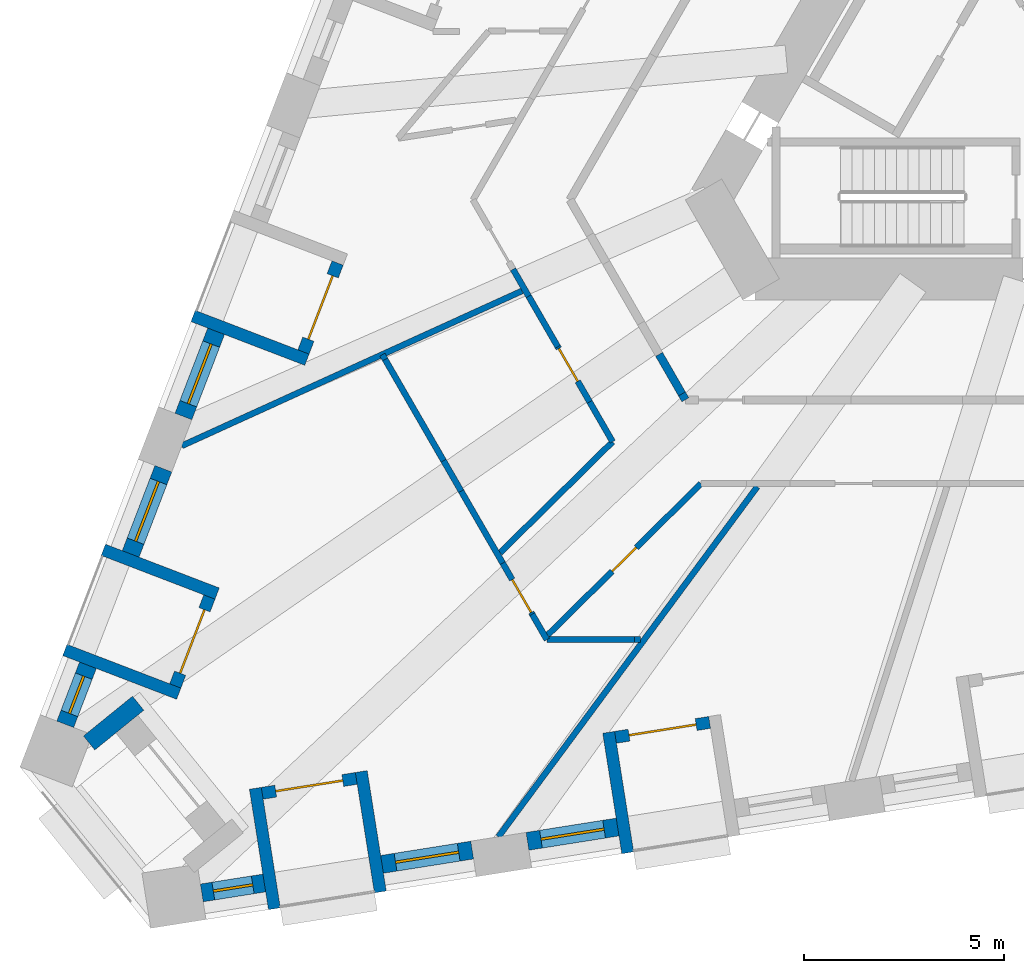
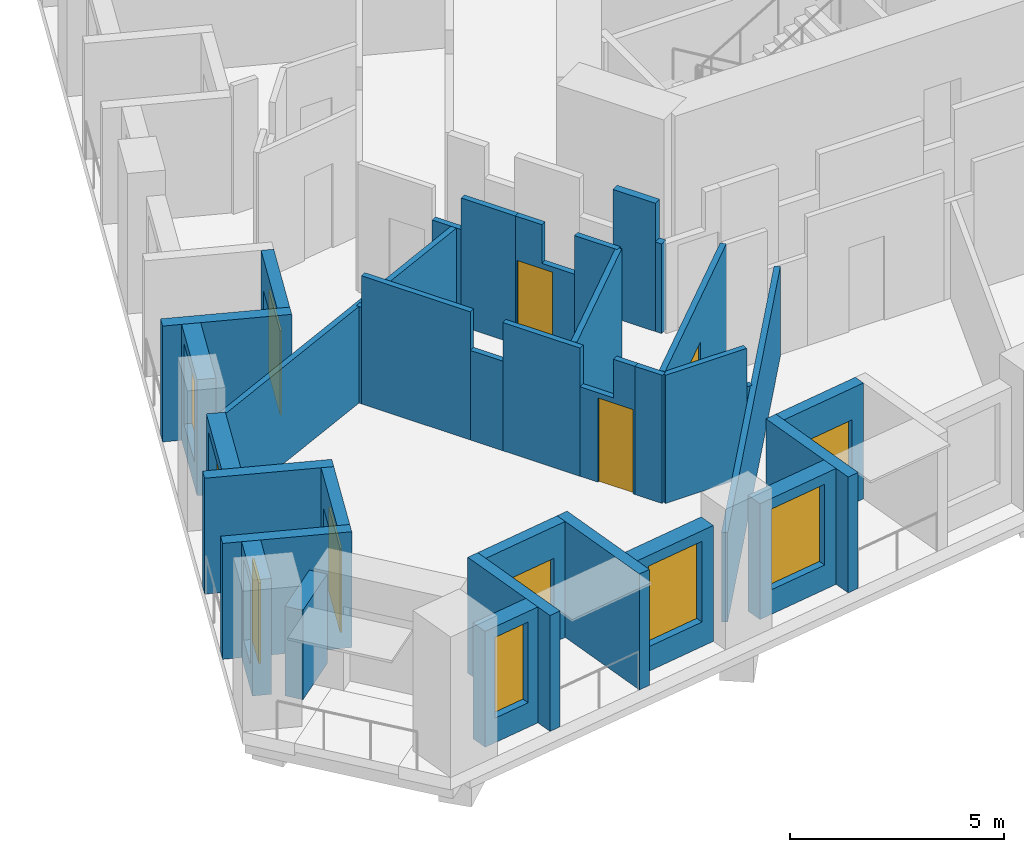
# One storey, part 2 of 14: 35 walls, 7 doors, 6 windows, 13 openings.
"""IFC4 building model written with IfcOpenShell, lengths in metres."""

from ifc_helpers import new_model, si_unit, direction, frame, frame_2d, origin, place, context, subcontext, project, spatial, polyline, rectangle, outline, extrude, material, layer, layer_set, type_object, element, fill, save


model = new_model("IFC4")

# Units and contexts
model_context = context("Model", 3, precision=1e-05, world=origin(), true_north=direction((0.0, 1.0)))
body_context = subcontext(model_context, "Body", "Model", "MODEL_VIEW")
ifc_project = project(units=[si_unit("LENGTHUNIT", "METRE"), si_unit("AREAUNIT", "SQUARE_METRE"), si_unit("VOLUMEUNIT", "CUBIC_METRE"), si_unit("PLANEANGLEUNIT", "RADIAN"), si_unit("MASSUNIT", "GRAM", prefix="KILO")], contexts=[model_context])

# Site, building, storey
site_placement = place(None, origin())
site = spatial("IfcSite", under=ifc_project, at=site_placement, CompositionType="ELEMENT")
building_placement = place(site_placement, origin())
building = spatial("IfcBuilding", under=site, at=building_placement, Name="Tramontana Tower", CompositionType="ELEMENT")
storey_placement = place(building_placement, frame((0.0, 0.0, 55.199951171875)))
storey = spatial("IfcBuildingStorey", under=building, at=storey_placement, Name="L11", CompositionType="ELEMENT", Elevation=55.199951171875)

# Walls
ifc_material_1 = material(Name="Blockwork", Category="masonry")
ifc_layer_1 = layer(ifc_material_1, 0.199951171875)
ifc_layer_set_1 = layer_set([ifc_layer_1], Name="ENTRY WALL 200")
wall_type_1 = type_object("IfcWallType", Name="ENTRY WALL 200", PredefinedType="SOLIDWALL", material=ifc_layer_set_1)
wall_1_placement = place(storey_placement, frame((-10.248046875, -9.25, 0.0), z_axis=(0.0, 0.0, 1.0), x_axis=(-0.499516518495, 0.866304362075, 0.0)))
element("IfcWall", 1, at=wall_1_placement, inside=storey, type_object=wall_type_1, Name="Wall v10-ew3-0", PredefinedType="SOLIDWALL", context=body_context, shape_type="SweptSolid", body=[
    extrude(rectangle(XDim=0.171142578125, YDim=0.199951171875, at=frame_2d((0.08544921875, 0.0))), origin(), (0.0, 0.0, 1.0), 2.550048828125),
])
wall_2_placement = place(storey_placement, frame((-10.33349609375, -9.101806640625, 0.0), z_axis=(0.0, 0.0, 1.0), x_axis=(-0.500049527193, 0.865996807358, 0.0)))
element("IfcWall", 2, at=wall_2_placement, inside=storey, type_object=wall_type_1, Name="Wall v10-ew3-1", PredefinedType="SOLIDWALL", context=body_context, shape_type="SweptSolid", body=[
    extrude(rectangle(XDim=1.1416015625, YDim=0.199951171875, at=frame_2d((0.57080078125, 0.0))), origin(), (0.0, 0.0, 1.0), 3.650146484375),
])

# Wall, opening, window
ifc_material_2 = material(Name="Precast concrete 60 MPa", Category="concrete")
ifc_layer_2 = layer(ifc_material_2, 0.449951171875)
ifc_layer_set_2 = layer_set([ifc_layer_2], Name="Precast concrete 60 MPa, 450 mm")
wall_type_2 = type_object("IfcWallType", Name="EW1 Stone-faced precast wall 450", PredefinedType="SOLIDWALL", material=ifc_layer_set_2)
wall_3_placement = place(storey_placement, frame((-21.986083984375, -7.536376953125, 0.0), z_axis=(0.0, 0.0, 1.0), x_axis=(-0.358355550725, -0.933585185864, 0.0)))
wall_3 = element("IfcWall", 3, at=wall_3_placement, inside=storey, type_object=wall_type_2, Name="External wall L11 face 0 bay 5", PredefinedType="SOLIDWALL", context=body_context, shape_type="SweptSolid", body=[
    extrude(rectangle(XDim=2.282958984375, YDim=0.449951171875, at=frame_2d((1.1416015625, 0.0))), origin(), (0.0, 0.0, 1.0), 3.300048828125),
])
opening_1_placement = place(wall_3_placement, frame((0.341552734375, 0.0, 0.699951171875)))
opening_1 = element("IfcOpeningElement", 4, at=opening_1_placement, cuts=wall_3, Name="Opening M1", PredefinedType="OPENING", context=body_context, shape_type="SweptSolid", body=[
    extrude(rectangle(XDim=1.60009765625, YDim=2.300048828125, at=frame_2d((0.800048828125, 1.14990234375))), frame((0.0, 0.23486328125, 0.0), z_axis=(0.0, -1.0, 0.0), x_axis=(1.0, 0.0, 0.0)), (0.0, 0.0, 1.0), 0.469970703125),
])
ifc_material_3 = material(Name="Aluminum frame, double glazing unit", Category="aluminium")
window_type_1 = type_object("IfcWindowType", Name="M1 Window 1.6 x 2.3", PartitioningType="SINGLE_PANEL", PredefinedType="WINDOW", material=ifc_material_3)
window_1_placement = place(opening_1_placement, origin())
window_1 = element("IfcWindow", 5, at=window_1_placement, inside=storey, type_object=window_type_1, Name="Window M1 L11 face 0 module 15", OverallHeight=2.300048828125, OverallWidth=1.60009765625, PartitioningType="SINGLE_PANEL", PredefinedType="WINDOW", context=body_context, shape_type="SweptSolid", body=[
    extrude(rectangle(XDim=1.60009765625, YDim=2.300048828125, at=frame_2d((0.800048828125, 1.14990234375))), frame((0.0, 0.030029296875, 0.0), z_axis=(0.0, -1.0, 0.0), x_axis=(1.0, 0.0, 0.0)), (0.0, 0.0, 1.0), 0.06005859375),
])
fill(opening_1, window_1)

wall_4_placement = place(storey_placement, frame((-23.305908203125, -10.974609375, 0.0), z_axis=(0.0, 0.0, 1.0), x_axis=(-0.358355550725, -0.933585185864, 0.0)))
wall_4 = element("IfcWall", 6, at=wall_4_placement, inside=storey, type_object=wall_type_2, Name="External wall L11 face 0 bay 6", PredefinedType="SOLIDWALL", context=body_context, shape_type="SweptSolid", body=[
    extrude(rectangle(XDim=2.282958984375, YDim=0.449951171875, at=frame_2d((1.1416015625, 0.0))), origin(), (0.0, 0.0, 1.0), 3.300048828125),
])
opening_2_placement = place(wall_4_placement, frame((0.341552734375, 0.0, 0.699951171875)))
opening_2 = element("IfcOpeningElement", 7, at=opening_2_placement, cuts=wall_4, Name="Opening M1", PredefinedType="OPENING", context=body_context, shape_type="SweptSolid", body=[
    extrude(rectangle(XDim=1.60009765625, YDim=2.300048828125, at=frame_2d((0.800048828125, 1.14990234375))), frame((0.0, 0.23486328125, 0.0), z_axis=(0.0, -1.0, 0.0), x_axis=(1.0, 0.0, 0.0)), (0.0, 0.0, 1.0), 0.469970703125),
])
window_2_placement = place(opening_2_placement, origin())
window_2 = element("IfcWindow", 8, at=window_2_placement, inside=storey, type_object=window_type_1, Name="Window M1 L11 face 0 module 16", OverallHeight=2.300048828125, OverallWidth=1.60009765625, PartitioningType="SINGLE_PANEL", PredefinedType="WINDOW", context=body_context, shape_type="SweptSolid", body=[
    extrude(rectangle(XDim=1.60009765625, YDim=2.300048828125, at=frame_2d((0.800048828125, 1.14990234375))), frame((0.0, 0.030029296875, 0.0), z_axis=(0.0, -1.0, 0.0), x_axis=(1.0, 0.0, 0.0)), (0.0, 0.0, 1.0), 0.06005859375),
])
fill(opening_2, window_2)

wall_5_placement = place(storey_placement, frame((-25.193115234375, -15.890869140625, 0.0), z_axis=(0.0, 0.0, 1.0), x_axis=(-0.358431261356, -0.933556120907, 0.0)))
wall_5 = element("IfcWall", 9, at=wall_5_placement, inside=storey, type_object=wall_type_2, Name="External wall L11 face 0 bay 6", PredefinedType="SOLIDWALL", context=body_context, shape_type="SweptSolid", body=[
    extrude(rectangle(XDim=1.5830078125, YDim=0.449951171875, at=frame_2d((0.79150390625, 0.0))), origin(), (0.0, 0.0, 1.0), 3.300048828125),
])
opening_3_placement = place(wall_5_placement, frame((0.29150390625, 0.0, 0.699951171875)))
opening_3 = element("IfcOpeningElement", 10, at=opening_3_placement, cuts=wall_5, Name="Opening N1", PredefinedType="OPENING", context=body_context, shape_type="SweptSolid", body=[
    extrude(rectangle(XDim=1.0, YDim=2.300048828125, at=frame_2d((0.5, 1.14990234375))), frame((0.0, 0.23486328125, 0.0), z_axis=(0.0, -1.0, 0.0), x_axis=(1.0, 0.0, 0.0)), (0.0, 0.0, 1.0), 0.469970703125),
])
ifc_material_4 = material(Name="Aluminum frame, double glazing unit", Category="aluminium")
window_type_2 = type_object("IfcWindowType", Name="N1 Window 1 x 2.3", PartitioningType="SINGLE_PANEL", PredefinedType="WINDOW", material=ifc_material_4)
window_3_placement = place(opening_3_placement, origin())
window_3 = element("IfcWindow", 11, at=window_3_placement, inside=storey, type_object=window_type_2, Name="Window N1 L11 face 0 module 18", OverallHeight=2.300048828125, OverallWidth=1.0, PartitioningType="SINGLE_PANEL", PredefinedType="WINDOW", context=body_context, shape_type="SweptSolid", body=[
    extrude(rectangle(XDim=1.0, YDim=2.300048828125, at=frame_2d((0.5, 1.14990234375))), frame((0.0, 0.030029296875, 0.0), z_axis=(0.0, -1.0, 0.0), x_axis=(1.0, 0.0, 0.0)), (0.0, 0.0, 1.0), 0.06005859375),
])
fill(opening_3, window_3)

wall_6_placement = place(storey_placement, frame((-22.344970703125, -21.586181640625, 0.0), z_axis=(0.0, 0.0, 1.0), x_axis=(0.987695344573, 0.156390237257, 0.0)))
wall_6 = element("IfcWall", 12, at=wall_6_placement, inside=storey, type_object=wall_type_2, Name="External wall L11 face 1 bay 1", PredefinedType="SOLIDWALL", context=body_context, shape_type="SweptSolid", body=[
    extrude(rectangle(XDim=1.5830078125, YDim=0.449951171875, at=frame_2d((0.79150390625, 0.0))), origin(), (0.0, 0.0, 1.0), 3.300048828125),
])
opening_4_placement = place(wall_6_placement, frame((0.29150390625, 0.0, 0.699951171875)))
opening_4 = element("IfcOpeningElement", 13, at=opening_4_placement, cuts=wall_6, Name="Opening N1", PredefinedType="OPENING", context=body_context, shape_type="SweptSolid", body=[
    extrude(rectangle(XDim=1.0, YDim=2.300048828125, at=frame_2d((0.5, 1.14990234375))), frame((0.0, 0.23486328125, 0.0), z_axis=(0.0, -1.0, 0.0), x_axis=(1.0, 0.0, 0.0)), (0.0, 0.0, 1.0), 0.469970703125),
])
window_4_placement = place(opening_4_placement, origin())
window_4 = element("IfcWindow", 14, at=window_4_placement, inside=storey, type_object=window_type_2, Name="Window N1 L11 face 1 module 1", OverallHeight=2.300048828125, OverallWidth=1.0, PartitioningType="SINGLE_PANEL", PredefinedType="WINDOW", context=body_context, shape_type="SweptSolid", body=[
    extrude(rectangle(XDim=1.0, YDim=2.300048828125, at=frame_2d((0.5, 1.14990234375))), frame((0.0, 0.030029296875, 0.0), z_axis=(0.0, -1.0, 0.0), x_axis=(1.0, 0.0, 0.0)), (0.0, 0.0, 1.0), 0.06005859375),
])
fill(opening_4, window_4)

wall_7_placement = place(storey_placement, frame((-17.835205078125, -20.8720703125, 0.0), z_axis=(0.0, 0.0, 1.0), x_axis=(0.987685675151, 0.156451293065, 0.0)))
wall_7 = element("IfcWall", 15, at=wall_7_placement, inside=storey, type_object=wall_type_2, Name="External wall L11 face 1 bay 1", PredefinedType="SOLIDWALL", context=body_context, shape_type="SweptSolid", body=[
    extrude(rectangle(XDim=2.282958984375, YDim=0.449951171875, at=frame_2d((1.1416015625, 0.0))), origin(), (0.0, 0.0, 1.0), 3.300048828125),
])
opening_5_placement = place(wall_7_placement, frame((0.341552734375, 0.0, 0.699951171875)))
opening_5 = element("IfcOpeningElement", 16, at=opening_5_placement, cuts=wall_7, Name="Opening M1", PredefinedType="OPENING", context=body_context, shape_type="SweptSolid", body=[
    extrude(rectangle(XDim=1.60009765625, YDim=2.300048828125, at=frame_2d((0.800048828125, 1.14990234375))), frame((0.0, 0.23486328125, 0.0), z_axis=(0.0, -1.0, 0.0), x_axis=(1.0, 0.0, 0.0)), (0.0, 0.0, 1.0), 0.469970703125),
])
window_5_placement = place(opening_5_placement, origin())
window_5 = element("IfcWindow", 17, at=window_5_placement, inside=storey, type_object=window_type_1, Name="Window M1 L11 face 1 module 3", OverallHeight=2.300048828125, OverallWidth=1.60009765625, PartitioningType="SINGLE_PANEL", PredefinedType="WINDOW", context=body_context, shape_type="SweptSolid", body=[
    extrude(rectangle(XDim=1.60009765625, YDim=2.300048828125, at=frame_2d((0.800048828125, 1.14990234375))), frame((0.0, 0.030029296875, 0.0), z_axis=(0.0, -1.0, 0.0), x_axis=(1.0, 0.0, 0.0)), (0.0, 0.0, 1.0), 0.06005859375),
])
fill(opening_5, window_5)

wall_8_placement = place(storey_placement, frame((-14.19775390625, -20.2958984375, 0.0), z_axis=(0.0, 0.0, 1.0), x_axis=(0.987685675151, 0.156451293065, 0.0)))
wall_8 = element("IfcWall", 18, at=wall_8_placement, inside=storey, type_object=wall_type_2, Name="External wall L11 face 1 bay 2", PredefinedType="SOLIDWALL", context=body_context, shape_type="SweptSolid", body=[
    extrude(rectangle(XDim=2.282958984375, YDim=0.449951171875, at=frame_2d((1.1416015625, 0.0))), origin(), (0.0, 0.0, 1.0), 3.300048828125),
])
opening_6_placement = place(wall_8_placement, frame((0.341552734375, 0.0, 0.699951171875)))
opening_6 = element("IfcOpeningElement", 19, at=opening_6_placement, cuts=wall_8, Name="Opening M1", PredefinedType="OPENING", context=body_context, shape_type="SweptSolid", body=[
    extrude(rectangle(XDim=1.60009765625, YDim=2.300048828125, at=frame_2d((0.800048828125, 1.14990234375))), frame((0.0, 0.23486328125, 0.0), z_axis=(0.0, -1.0, 0.0), x_axis=(1.0, 0.0, 0.0)), (0.0, 0.0, 1.0), 0.469970703125),
])
window_6_placement = place(opening_6_placement, origin())
window_6 = element("IfcWindow", 20, at=window_6_placement, inside=storey, type_object=window_type_1, Name="Window M1 L11 face 1 module 4", OverallHeight=2.300048828125, OverallWidth=1.60009765625, PartitioningType="SINGLE_PANEL", PredefinedType="WINDOW", context=body_context, shape_type="SweptSolid", body=[
    extrude(rectangle(XDim=1.60009765625, YDim=2.300048828125, at=frame_2d((0.800048828125, 1.14990234375))), frame((0.0, 0.030029296875, 0.0), z_axis=(0.0, -1.0, 0.0), x_axis=(1.0, 0.0, 0.0)), (0.0, 0.0, 1.0), 0.06005859375),
])
fill(opening_6, window_6)

# Wall
wall_9_placement = place(storey_placement, frame((-25.162841796875, -17.835205078125, 0.0), z_axis=(0.0, 0.0, 1.0), x_axis=(0.777129655516, 0.629340526677, 0.0)))
element("IfcWall", 21, at=wall_9_placement, inside=storey, type_object=wall_type_2, Name="Corner loggia side wall L11 K11r", PredefinedType="SOLIDWALL", context=body_context, shape_type="SweptSolid", body=[
    extrude(rectangle(XDim=1.579345703125, YDim=0.449951171875, at=frame_2d((0.78955078125, 0.0))), origin(), (0.0, 0.0, 1.0), 2.550048828125),
])

# Wall, opening, door
ifc_material_5 = material(Name="Precast concrete 60 MPa", Category="concrete")
ifc_layer_3 = layer(ifc_material_5, 0.300048828125)
ifc_layer_set_3 = layer_set([ifc_layer_3], Name="LW1 Stone-faced loggia wall 300")
wall_type_3 = type_object("IfcWallType", Name="LW1 Stone-faced loggia wall 300", PredefinedType="SOLIDWALL", material=ifc_layer_set_3)
wall_10_placement = place(storey_placement, frame((-18.947265625, -5.828857421875, 0.0), z_axis=(0.0, 0.0, 1.0), x_axis=(-0.358354292693, -0.933585668757, 0.0)))
wall_10 = element("IfcWall", 22, at=wall_10_placement, inside=storey, type_object=wall_type_3, Name="Loggia wall L11 G1S0.13", PredefinedType="SOLIDWALL", context=body_context, shape_type="SweptSolid", body=[
    extrude(rectangle(XDim=2.383056640625, YDim=0.300048828125, at=frame_2d((1.19140625, 0.0))), origin(), (0.0, 0.0, 1.0), 3.300048828125),
])
opening_7_placement = place(wall_10_placement, frame((0.341552734375, 0.0, 0.0)))
opening_7 = element("IfcOpeningElement", 23, at=opening_7_placement, cuts=wall_10, Name="Opening BD-1S0-13", PredefinedType="OPENING", context=body_context, shape_type="SweptSolid", body=[
    extrude(rectangle(XDim=1.699951171875, YDim=2.39990234375, at=frame_2d((0.85009765625, 1.199951171875))), frame((0.0, 0.159912109375, 0.0), z_axis=(0.0, -1.0, 0.0), x_axis=(1.0, 0.0, 0.0)), (0.0, 0.0, 1.0), 0.320068359375),
])
ifc_material_6 = material(Name="Aluminum frame, double glazing unit", Category="aluminium")
door_type_1 = type_object("IfcDoorType", Name="BD1 Sliding door 1.7 x 2.4", OperationType="SLIDING_TO_LEFT", PredefinedType="DOOR", material=ifc_material_6)
door_1_placement = place(opening_7_placement, origin())
door_1 = element("IfcDoor", 24, at=door_1_placement, inside=storey, type_object=door_type_1, Name="Loggia door L11 G1S0.13", OperationType="SLIDING_TO_LEFT", OverallHeight=2.39990234375, OverallWidth=1.699951171875, PredefinedType="DOOR", context=body_context, shape_type="SweptSolid", body=[
    extrude(rectangle(XDim=1.699951171875, YDim=2.39990234375, at=frame_2d((0.85009765625, 1.199951171875))), frame((0.0, 0.02490234375, 0.0), z_axis=(0.0, -1.0, 0.0), x_axis=(1.0, 0.0, 0.0)), (0.0, 0.0, 1.0), 0.050048828125),
])
fill(opening_7, door_1)

# Wall
wall_11_placement = place(storey_placement, frame((-22.5625, -7.154296875, 0.0), z_axis=(0.0, 0.0, 1.0), x_axis=(0.933580593625, -0.358367514161, 0.0)))
element("IfcWall", 25, at=wall_11_placement, inside=storey, type_object=wall_type_3, Name="Loggia return L11 G1S0.13b", PredefinedType="SOLIDWALL", context=body_context, shape_type="SweptSolid", body=[
    extrude(rectangle(XDim=3.050048828125, YDim=0.300048828125, at=frame_2d((1.52490234375, 0.0))), origin(), (0.0, 0.0, 1.0), 3.300048828125),
])

# Wall, opening, door
wall_12_placement = place(storey_placement, frame((-22.154296875, -14.18359375, 0.0), z_axis=(0.0, 0.0, 1.0), x_axis=(-0.35838856932, -0.933572511046, 0.0)))
wall_12 = element("IfcWall", 26, at=wall_12_placement, inside=storey, type_object=wall_type_3, Name="Loggia wall L11 G1S0.16", PredefinedType="SOLIDWALL", context=body_context, shape_type="SweptSolid", body=[
    extrude(rectangle(XDim=2.3828125, YDim=0.300048828125, at=frame_2d((1.19140625, 0.0))), origin(), (0.0, 0.0, 1.0), 3.300048828125),
])
opening_8_placement = place(wall_12_placement, frame((0.341552734375, 0.0, 0.0)))
opening_8 = element("IfcOpeningElement", 27, at=opening_8_placement, cuts=wall_12, Name="Opening BD-1S0-16", PredefinedType="OPENING", context=body_context, shape_type="SweptSolid", body=[
    extrude(rectangle(XDim=1.699951171875, YDim=2.39990234375, at=frame_2d((0.85009765625, 1.199951171875))), frame((0.0, 0.159912109375, 0.0), z_axis=(0.0, -1.0, 0.0), x_axis=(1.0, 0.0, 0.0)), (0.0, 0.0, 1.0), 0.320068359375),
])
door_2_placement = place(opening_8_placement, origin())
door_2 = element("IfcDoor", 28, at=door_2_placement, inside=storey, type_object=door_type_1, Name="Loggia door L11 G1S0.16", OperationType="SLIDING_TO_LEFT", OverallHeight=2.39990234375, OverallWidth=1.699951171875, PredefinedType="DOOR", context=body_context, shape_type="SweptSolid", body=[
    extrude(rectangle(XDim=1.699951171875, YDim=2.39990234375, at=frame_2d((0.85009765625, 1.199951171875))), frame((0.0, 0.02490234375, 0.0), z_axis=(0.0, -1.0, 0.0), x_axis=(1.0, 0.0, 0.0)), (0.0, 0.0, 1.0), 0.050048828125),
])
fill(opening_8, door_2)

# Walls
for number, where, z_axis, x_axis, name in (
    (29, (-24.80810546875, -13.004150390625, 0.0), (0.0, 0.0, 1.0), (0.933580593625, -0.358367514161, 0.0), "Loggia return L11 G1S0.16a"),
    (30, (-25.76953125, -15.509033203125, 0.0), (0.0, 0.0, 1.0), (0.933580593625, -0.358367514161, 0.0), "Loggia return L11 G1S0.16b"),
):
    element("IfcWall", number, at=place(storey_placement, frame(where, z_axis=z_axis, x_axis=x_axis)), inside=storey, type_object=wall_type_3, Name=name, PredefinedType="SOLIDWALL", context=body_context, shape_type="SweptSolid", body=[
        extrude(rectangle(XDim=3.050048828125, YDim=0.300048828125, at=frame_2d((1.52490234375, 0.0))), origin(), (0.0, 0.0, 1.0), 3.300048828125),
    ])

# Wall, opening, door
wall_13_placement = place(storey_placement, frame((-20.833251953125, -19.09423828125, 0.0), z_axis=(0.0, 0.0, 1.0), x_axis=(0.987685586014, 0.156451855793, 0.0)))
wall_13 = element("IfcWall", 31, at=wall_13_placement, inside=storey, type_object=wall_type_3, Name="Loggia wall L11 G1S1.1", PredefinedType="SOLIDWALL", context=body_context, shape_type="SweptSolid", body=[
    extrude(rectangle(XDim=2.3828125, YDim=0.300048828125, at=frame_2d((1.19140625, 0.0))), origin(), (0.0, 0.0, 1.0), 3.300048828125),
])
opening_9_placement = place(wall_13_placement, frame((0.341552734375, 0.0, 0.0)))
opening_9 = element("IfcOpeningElement", 32, at=opening_9_placement, cuts=wall_13, Name="Opening BD-1S1-01", PredefinedType="OPENING", context=body_context, shape_type="SweptSolid", body=[
    extrude(rectangle(XDim=1.699951171875, YDim=2.39990234375, at=frame_2d((0.85009765625, 1.199951171875))), frame((0.0, 0.159912109375, 0.0), z_axis=(0.0, -1.0, 0.0), x_axis=(1.0, 0.0, 0.0)), (0.0, 0.0, 1.0), 0.320068359375),
])
door_3_placement = place(opening_9_placement, origin())
door_3 = element("IfcDoor", 33, at=door_3_placement, inside=storey, type_object=door_type_1, Name="Loggia door L11 G1S1.1", OperationType="SLIDING_TO_LEFT", OverallHeight=2.39990234375, OverallWidth=1.699951171875, PredefinedType="DOOR", context=body_context, shape_type="SweptSolid", body=[
    extrude(rectangle(XDim=1.699951171875, YDim=2.39990234375, at=frame_2d((0.85009765625, 1.199951171875))), frame((0.0, 0.02490234375, 0.0), z_axis=(0.0, -1.0, 0.0), x_axis=(1.0, 0.0, 0.0)), (0.0, 0.0, 1.0), 0.050048828125),
])
fill(opening_9, door_3)

# Walls
for number, where, z_axis, x_axis, name in (
    (34, (-20.52783203125, -21.98193359375, 0.0), (0.0, 0.0, 1.0), (-0.156410600741, 0.987692120033, 0.0), "Loggia return L11 G1S1.1a"),
    (35, (-17.8779296875, -21.562255859375, 0.0), (0.0, 0.0, 1.0), (-0.156410600741, 0.987692120033, 0.0), "Loggia return L11 G1S1.1b"),
):
    element("IfcWall", number, at=place(storey_placement, frame(where, z_axis=z_axis, x_axis=x_axis)), inside=storey, type_object=wall_type_3, Name=name, PredefinedType="SOLIDWALL", context=body_context, shape_type="SweptSolid", body=[
        extrude(rectangle(XDim=3.050048828125, YDim=0.300048828125, at=frame_2d((1.52490234375, 0.0))), origin(), (0.0, 0.0, 1.0), 3.300048828125),
    ])

# Wall, opening, door
wall_14_placement = place(storey_placement, frame((-11.99462890625, -17.694091796875, 0.0), z_axis=(0.0, 0.0, 1.0), x_axis=(0.98770391772, 0.156336083232, 0.0)))
wall_14 = element("IfcWall", 36, at=wall_14_placement, inside=storey, type_object=wall_type_3, Name="Loggia wall L11 G1S1.4", PredefinedType="SOLIDWALL", context=body_context, shape_type="SweptSolid", body=[
    extrude(rectangle(XDim=2.383056640625, YDim=0.300048828125, at=frame_2d((1.19140625, 0.0))), origin(), (0.0, 0.0, 1.0), 3.300048828125),
])
opening_10_placement = place(wall_14_placement, frame((0.341552734375, 0.0, 0.0)))
opening_10 = element("IfcOpeningElement", 37, at=opening_10_placement, cuts=wall_14, Name="Opening BD-1S1-04", PredefinedType="OPENING", context=body_context, shape_type="SweptSolid", body=[
    extrude(rectangle(XDim=1.699951171875, YDim=2.39990234375, at=frame_2d((0.85009765625, 1.199951171875))), frame((0.0, 0.159912109375, 0.0), z_axis=(0.0, -1.0, 0.0), x_axis=(1.0, 0.0, 0.0)), (0.0, 0.0, 1.0), 0.320068359375),
])
door_4_placement = place(opening_10_placement, origin())
door_4 = element("IfcDoor", 38, at=door_4_placement, inside=storey, type_object=door_type_1, Name="Loggia door L11 G1S1.4", OperationType="SLIDING_TO_LEFT", OverallHeight=2.39990234375, OverallWidth=1.699951171875, PredefinedType="DOOR", context=body_context, shape_type="SweptSolid", body=[
    extrude(rectangle(XDim=1.699951171875, YDim=2.39990234375, at=frame_2d((0.85009765625, 1.199951171875))), frame((0.0, 0.02490234375, 0.0), z_axis=(0.0, -1.0, 0.0), x_axis=(1.0, 0.0, 0.0)), (0.0, 0.0, 1.0), 0.050048828125),
])
fill(opening_10, door_4)

# Walls
wall_15_placement = place(storey_placement, frame((-11.68896484375, -20.58203125, 0.0), z_axis=(0.0, 0.0, 1.0), x_axis=(-0.156488687365, 0.987679751097, 0.0)))
element("IfcWall", 39, at=wall_15_placement, inside=storey, type_object=wall_type_3, Name="Loggia return L11 G1S1.4a", PredefinedType="SOLIDWALL", context=body_context, shape_type="SweptSolid", body=[
    extrude(rectangle(XDim=3.050048828125, YDim=0.300048828125, at=frame_2d((1.52490234375, 0.0))), origin(), (0.0, 0.0, 1.0), 3.300048828125),
])
ifc_material_7 = material(Name="Gypsum board partition")
ifc_layer_4 = layer(ifc_material_7, 0.14990234375)
ifc_layer_set_4 = layer_set([ifc_layer_4], Name="PARTITION 150")
wall_type_4 = type_object("IfcWallType", Name="PARTITION 150", PredefinedType="PARTITIONING", material=ifc_layer_set_4)
wall_16_placement = place(storey_placement, frame((-22.844970703125, -10.40185546875, 0.0), z_axis=(0.0, 0.0, 1.0), x_axis=(0.910101702386, 0.414384955463, 0.0)))
element("IfcWall", 40, at=wall_16_placement, inside=storey, type_object=wall_type_4, Name="Wall v10-pw00-0", PredefinedType="PARTITIONING", context=body_context, shape_type="SweptSolid", body=[
    extrude(rectangle(XDim=9.353515625, YDim=0.14990234375, at=frame_2d((4.6767578125, 0.0))), origin(), (0.0, 0.0, 1.0), 2.75),
])
wall_17_placement = place(storey_placement, frame((-14.88037109375, -13.076416015625, 0.0), z_axis=(0.0, 0.0, 1.0), x_axis=(0.711570024915, 0.702615186032, 0.0)))
element("IfcWall", 41, at=wall_17_placement, inside=storey, type_object=wall_type_4, Name="Wall v10-pw05", PredefinedType="PARTITIONING", context=body_context, shape_type="SweptSolid", body=[
    extrude(rectangle(XDim=3.953125, YDim=0.14990234375, at=frame_2d((1.9765625, 0.0))), origin(), (0.0, 0.0, 1.0), 3.650146484375),
])
wall_18_placement = place(storey_placement, frame((-13.712158203125, -15.25, 0.0), z_axis=(0.0, 0.0, 1.0), x_axis=(-0.500039236423, 0.86600274944, 0.0)))
element("IfcWall", 42, at=wall_18_placement, inside=storey, type_object=wall_type_4, Name="Wall v10-pw06-0", PredefinedType="PARTITIONING", context=body_context, shape_type="SweptSolid", body=[
    extrude(rectangle(XDim=0.73388671875, YDim=0.14990234375, at=frame_2d((0.366943359375, 0.0))), origin(), (0.0, 0.0, 1.0), 3.650146484375),
])

# Wall, opening, door
wall_19_placement = place(storey_placement, frame((-14.0791015625, -14.614501953125, 0.0), z_axis=(0.0, 0.0, 1.0), x_axis=(-0.499927643558, 0.866067174765, 0.0)))
wall_19 = element("IfcWall", 43, at=wall_19_placement, inside=storey, type_object=wall_type_4, Name="Wall v10-pw06-1", PredefinedType="PARTITIONING", context=body_context, shape_type="SweptSolid", body=[
    extrude(outline(polyline([(0.0, 0.0), (1.476318359375, 0.0), (1.476318359375, 2.550048828125), (0.577392578125, 2.550048828125), (0.577392578125, 3.650146484375), (0.0, 3.650146484375), (0.0, 0.0)])), frame((0.0, 0.074951171875, 0.0), z_axis=(0.0, -1.0, 0.0), x_axis=(1.0, 0.0, 0.0)), (0.0, 0.0, 1.0), 0.14990234375),
])
opening_11_placement = place(wall_19_placement, frame((0.050048828125, 0.0, 0.0)))
opening_11 = element("IfcOpeningElement", 44, at=opening_11_placement, cuts=wall_19, Name="Opening B1A-12", PredefinedType="OPENING", context=body_context, shape_type="SweptSolid", body=[
    extrude(rectangle(XDim=0.949951171875, YDim=2.39990234375, at=frame_2d((0.47509765625, 1.199951171875))), frame((0.0, 0.0849609375, 0.0), z_axis=(0.0, -1.0, 0.0), x_axis=(1.0, 0.0, 0.0)), (0.0, 0.0, 1.0), 0.169921875),
])
ifc_material_8 = material(Name="Painted timber", Category="wood")
door_type_2 = type_object("IfcDoorType", Name="DOOR ROOM 950", OperationType="SINGLE_SWING_LEFT", PredefinedType="DOOR", material=ifc_material_8)
door_5_placement = place(opening_11_placement, origin())
door_5 = element("IfcDoor", 45, at=door_5_placement, inside=storey, type_object=door_type_2, Name="Door B1A-12", OperationType="SINGLE_SWING_RIGHT", OverallHeight=2.39990234375, OverallWidth=0.949951171875, PredefinedType="DOOR", context=body_context, shape_type="SweptSolid", body=[
    extrude(rectangle(XDim=0.949951171875, YDim=2.39990234375, at=frame_2d((0.47509765625, 1.199951171875))), frame((0.0, 0.02490234375, 0.0), z_axis=(0.0, -1.0, 0.0), x_axis=(1.0, 0.0, 0.0)), (0.0, 0.0, 1.0), 0.050048828125),
])
fill(opening_11, door_5)

# Walls
wall_20_placement = place(storey_placement, frame((-14.817138671875, -13.3359375, 0.0), z_axis=(0.0, 0.0, 1.0), x_axis=(-0.500027264788, 0.866009661879, 0.0)))
element("IfcWall", 46, at=wall_20_placement, inside=storey, type_object=wall_type_4, Name="Wall v10-pw06-2", PredefinedType="PARTITIONING", context=body_context, shape_type="SweptSolid", body=[
    extrude(rectangle(XDim=2.080078125, YDim=0.14990234375, at=frame_2d((1.0400390625, 0.0))), origin(), (0.0, 0.0, 1.0), 3.650146484375),
])
wall_21_placement = place(storey_placement, frame((-15.857177734375, -11.53466796875, 0.0), z_axis=(0.0, 0.0, 1.0), x_axis=(-0.49990697594, 0.86607910459, 0.0)))
element("IfcWall", 47, at=wall_21_placement, inside=storey, type_object=wall_type_4, Name="Wall v10-pw06-3", PredefinedType="PARTITIONING", context=body_context, shape_type="SweptSolid", body=[
    extrude(rectangle(XDim=0.878173828125, YDim=0.14990234375, at=frame_2d((0.43896484375, 0.0))), origin(), (0.0, 0.0, 1.0), 2.550048828125),
])
wall_22_placement = place(storey_placement, frame((-16.296142578125, -10.774169921875, 0.0), z_axis=(0.0, 0.0, 1.0), x_axis=(-0.499980071345, 0.866036909293, 0.0)))
element("IfcWall", 48, at=wall_22_placement, inside=storey, type_object=wall_type_4, Name="Wall v10-pw06-4", PredefinedType="PARTITIONING", context=body_context, shape_type="SweptSolid", body=[
    extrude(rectangle(XDim=2.92578125, YDim=0.14990234375, at=frame_2d((1.462890625, 0.0))), origin(), (0.0, 0.0, 1.0), 3.650146484375),
])
wall_23_placement = place(storey_placement, frame((-17.759033203125, -8.240234375, 0.0), z_axis=(0.0, 0.0, 1.0), x_axis=(-0.500896724159, 0.865507060472, 0.0)))
element("IfcWall", 49, at=wall_23_placement, inside=storey, type_object=wall_type_4, Name="Wall v10-pw06-5", PredefinedType="PARTITIONING", context=body_context, shape_type="SweptSolid", body=[
    extrude(rectangle(XDim=0.137939453125, YDim=0.14990234375, at=frame_2d((0.06884765625, 0.0))), origin(), (0.0, 0.0, 1.0), 2.75),
])
wall_24_placement = place(storey_placement, frame((-12.0673828125, -10.298828125, 0.0), z_axis=(0.0, 0.0, 1.0), x_axis=(-0.499955427682, 0.866051136095, 0.0)))
element("IfcWall", 50, at=wall_24_placement, inside=storey, type_object=wall_type_4, Name="Wall v10-pw07-0", PredefinedType="PARTITIONING", context=body_context, shape_type="SweptSolid", body=[
    extrude(rectangle(XDim=1.14892578125, YDim=0.14990234375, at=frame_2d((0.574462890625, 0.0))), origin(), (0.0, 0.0, 1.0), 3.650146484375),
])

# Wall, opening, door
wall_25_placement = place(storey_placement, frame((-12.641845703125, -9.3037109375, 0.0), z_axis=(0.0, 0.0, 1.0), x_axis=(-0.499961121316, 0.86604784924, 0.0)))
wall_25 = element("IfcWall", 51, at=wall_25_placement, inside=storey, type_object=wall_type_4, Name="Wall v10-pw07-1", PredefinedType="PARTITIONING", context=body_context, shape_type="SweptSolid", body=[
    extrude(outline(polyline([(0.0, 0.0), (1.593994140625, 0.0), (1.593994140625, 3.650146484375), (0.8779296875, 3.650146484375), (0.8779296875, 2.550048828125), (0.0, 2.550048828125), (0.0, 0.0)])), frame((0.0, 0.074951171875, 0.0), z_axis=(0.0, -1.0, 0.0), x_axis=(1.0, 0.0, 0.0)), (0.0, 0.0, 1.0), 0.14990234375),
])
opening_12_placement = place(wall_25_placement, frame((0.593994140625, 0.0, 0.0)))
opening_12 = element("IfcOpeningElement", 52, at=opening_12_placement, cuts=wall_25, Name="Opening B1A-10", PredefinedType="OPENING", context=body_context, shape_type="SweptSolid", body=[
    extrude(rectangle(XDim=0.949951171875, YDim=2.39990234375, at=frame_2d((0.47509765625, 1.199951171875))), frame((0.0, 0.0849609375, 0.0), z_axis=(0.0, -1.0, 0.0), x_axis=(1.0, 0.0, 0.0)), (0.0, 0.0, 1.0), 0.169921875),
])
door_6_placement = place(opening_12_placement, origin())
door_6 = element("IfcDoor", 53, at=door_6_placement, inside=storey, type_object=door_type_2, Name="Door B1A-10", OperationType="SINGLE_SWING_RIGHT", OverallHeight=2.39990234375, OverallWidth=0.949951171875, PredefinedType="DOOR", context=body_context, shape_type="SweptSolid", body=[
    extrude(rectangle(XDim=0.949951171875, YDim=2.39990234375, at=frame_2d((0.47509765625, 1.199951171875))), frame((0.0, 0.02490234375, 0.0), z_axis=(0.0, -1.0, 0.0), x_axis=(1.0, 0.0, 0.0)), (0.0, 0.0, 1.0), 0.050048828125),
])
fill(opening_12, door_6)

# Walls
wall_26_placement = place(storey_placement, frame((-13.438720703125, -7.92333984375, 0.0), z_axis=(0.0, 0.0, 1.0), x_axis=(-0.500026652407, 0.866010015463, 0.0)))
element("IfcWall", 54, at=wall_26_placement, inside=storey, type_object=wall_type_4, Name="Wall v10-pw07-2", PredefinedType="PARTITIONING", context=body_context, shape_type="SweptSolid", body=[
    extrude(rectangle(XDim=1.458984375, YDim=0.14990234375, at=frame_2d((0.7294921875, 0.0))), origin(), (0.0, 0.0, 1.0), 3.650146484375),
])
wall_27_placement = place(storey_placement, frame((-14.168212890625, -6.659912109375, 0.0), z_axis=(0.0, 0.0, 1.0), x_axis=(-0.500011542666, 0.866018739521, 0.0)))
element("IfcWall", 55, at=wall_27_placement, inside=storey, type_object=wall_type_4, Name="Wall v10-pw07-3", PredefinedType="PARTITIONING", context=body_context, shape_type="SweptSolid", body=[
    extrude(rectangle(XDim=0.77978515625, YDim=0.14990234375, at=frame_2d((0.389892578125, 0.0))), origin(), (0.0, 0.0, 1.0), 2.75),
])
wall_28_placement = place(storey_placement, frame((-11.369873046875, -15.25, 0.0), z_axis=(0.0, 0.0, 1.0), x_axis=(-1.0, 0.0, 0.0)))
element("IfcWall", 56, at=wall_28_placement, inside=storey, type_object=wall_type_4, Name="Wall v10-pw08-0", PredefinedType="PARTITIONING", context=body_context, shape_type="SweptSolid", body=[
    extrude(rectangle(XDim=0.150634765625, YDim=0.14990234375, at=frame_2d((0.0751953125, 0.0))), origin(), (0.0, 0.0, 1.0), 2.550048828125),
])
wall_29_placement = place(storey_placement, frame((-11.5205078125, -15.25, 0.0), z_axis=(0.0, 0.0, 1.0), x_axis=(-1.0, 0.0, 0.0)))
element("IfcWall", 57, at=wall_29_placement, inside=storey, type_object=wall_type_4, Name="Wall v10-pw08-1", PredefinedType="PARTITIONING", context=body_context, shape_type="SweptSolid", body=[
    extrude(rectangle(XDim=2.191650390625, YDim=0.14990234375, at=frame_2d((1.095703125, 0.0))), origin(), (0.0, 0.0, 1.0), 3.650146484375),
])

# Wall, opening, door
wall_30_placement = place(storey_placement, frame((-9.8583984375, -11.35009765625, 0.0), z_axis=(0.0, 0.0, 1.0), x_axis=(-0.711601660906, -0.702583145397, 0.0)))
wall_30 = element("IfcWall", 58, at=wall_30_placement, inside=storey, type_object=wall_type_4, Name="Wall v10-pw09", PredefinedType="PARTITIONING", context=body_context, shape_type="SweptSolid", body=[
    extrude(rectangle(XDim=5.38720703125, YDim=0.14990234375, at=frame_2d((2.693603515625, 0.0))), origin(), (0.0, 0.0, 1.0), 3.650146484375),
])
opening_13_placement = place(wall_30_placement, frame((2.2685546875, 0.0, 0.0)))
opening_13 = element("IfcOpeningElement", 59, at=opening_13_placement, cuts=wall_30, Name="Opening B1A-11", PredefinedType="OPENING", context=body_context, shape_type="SweptSolid", body=[
    extrude(rectangle(XDim=0.85009765625, YDim=2.39990234375, at=frame_2d((0.425048828125, 1.199951171875))), frame((0.0, 0.0849609375, 0.0), z_axis=(0.0, -1.0, 0.0), x_axis=(1.0, 0.0, 0.0)), (0.0, 0.0, 1.0), 0.169921875),
])
ifc_material_9 = material(Name="Painted timber", Category="wood")
door_type_3 = type_object("IfcDoorType", Name="DOOR BATH 850", OperationType="SINGLE_SWING_LEFT", PredefinedType="DOOR", material=ifc_material_9)
door_7_placement = place(opening_13_placement, origin())
door_7 = element("IfcDoor", 60, at=door_7_placement, inside=storey, type_object=door_type_3, Name="Door B1A-11", OperationType="SINGLE_SWING_LEFT", OverallHeight=2.39990234375, OverallWidth=0.85009765625, PredefinedType="DOOR", context=body_context, shape_type="SweptSolid", body=[
    extrude(rectangle(XDim=0.85009765625, YDim=2.39990234375, at=frame_2d((0.425048828125, 1.199951171875))), frame((0.0, 0.02490234375, 0.0), z_axis=(0.0, -1.0, 0.0), x_axis=(1.0, 0.0, 0.0)), (0.0, 0.0, 1.0), 0.050048828125),
])
fill(opening_13, door_7)

# Wall
wall_31_placement = place(storey_placement, frame((-8.447998046875, -11.425048828125, 0.0), z_axis=(0.0, 0.0, 1.0), x_axis=(-0.594567506499, -0.804045695353, 0.0)))
element("IfcWall", 61, at=wall_31_placement, inside=storey, type_object=wall_type_4, Name="Wall v10-pw11-0", PredefinedType="PARTITIONING", context=body_context, shape_type="SweptSolid", body=[
    extrude(rectangle(XDim=10.892578125, YDim=0.14990234375, at=frame_2d((5.4462890625, 0.0))), origin(), (0.0, 0.0, 1.0), 2.550048828125),
])

save(model, "model.ifc")
